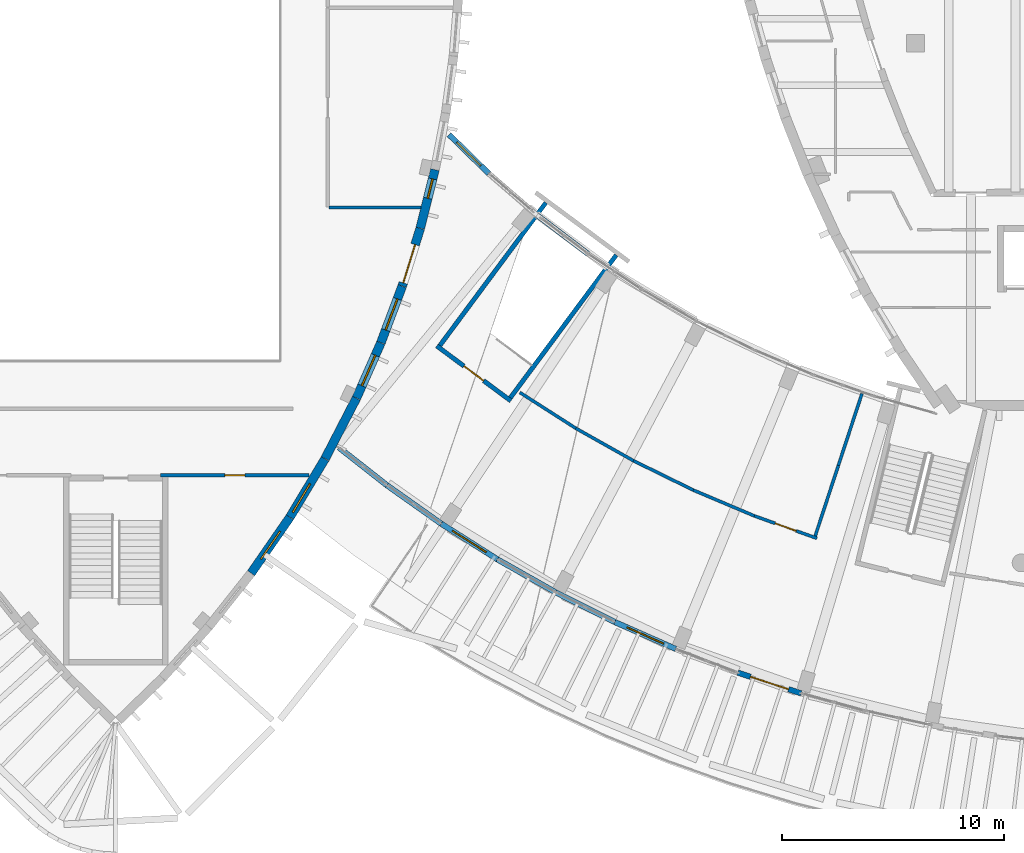
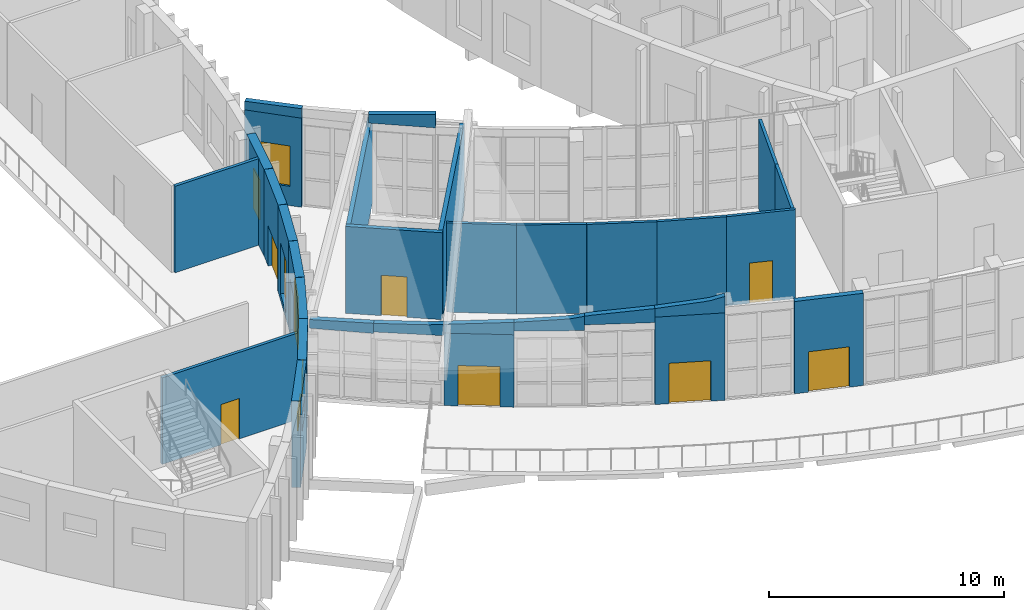
# One storey, part 53 of 93: 31 walls, 7 doors, 6 windows, 13 openings.
"""IFC4 building model written with IfcOpenShell, lengths in metres."""

from ifc_helpers import new_model, si_unit, direction, frame, frame_2d, origin, place, context, subcontext, project, spatial, polyline, rectangle, outline, extrude, material, layer, layer_set, type_object, element, fill, save


model = new_model("IFC4")

# Units and contexts
model_context = context("Model", 3, precision=1e-05, world=origin(), true_north=direction((0.0, 1.0)))
body_context = subcontext(model_context, "Body", "Model", "MODEL_VIEW")
ifc_project = project(units=[si_unit("LENGTHUNIT", "METRE"), si_unit("AREAUNIT", "SQUARE_METRE"), si_unit("VOLUMEUNIT", "CUBIC_METRE"), si_unit("PLANEANGLEUNIT", "RADIAN"), si_unit("MASSUNIT", "GRAM", prefix="KILO")], contexts=[model_context])

# Site, building, storey
site_placement = place(None, origin())
site = spatial("IfcSite", under=ifc_project, at=site_placement, CompositionType="ELEMENT")
building_placement = place(site_placement, origin())
building = spatial("IfcBuilding", under=site, at=building_placement, Name="Tide Square Theatres", CompositionType="ELEMENT")
storey_placement = place(building_placement, frame((0.0, 0.0, 5.39990234375)))
storey = spatial("IfcBuildingStorey", under=building, at=storey_placement, Name="L01", CompositionType="ELEMENT", Elevation=5.39990234375)

# Walls
ifc_material_1 = material(Name="Concrete masonry block", Category="masonry")
ifc_layer_1 = layer(ifc_material_1, 0.139892578125)
ifc_layer_set_1 = layer_set([ifc_layer_1], Name="Concrete masonry block")
wall_type_1 = type_object("IfcWallType", Name="Partition 140 thick", PredefinedType="PARTITIONING", material=ifc_layer_set_1)
wall_1_placement = place(storey_placement, frame((69.594970703125, 24.124267578125, 0.0), z_axis=(0.0, 0.0, 1.0), x_axis=(-0.311928968211, -0.950105425093, 0.0)))
element("IfcWall", 1, at=wall_1_placement, inside=storey, type_object=wall_type_1, Name="Foyer room partition", PredefinedType="PARTITIONING", context=body_context, shape_type="SweptSolid", body=[
    extrude(rectangle(XDim=3.41015625, YDim=0.139892578125, at=frame_2d((1.705078125, 0.0))), origin(), (0.0, 0.0, 1.0), 4.634033203125),
])
wall_2_placement = place(storey_placement, frame((68.53125, 20.88427734375, 0.0), z_axis=(0.0, 0.0, 1.0), x_axis=(-0.311917422886, -0.950109215459, 0.0)))
element("IfcWall", 2, at=wall_2_placement, inside=storey, type_object=wall_type_1, Name="Foyer room partition", PredefinedType="PARTITIONING", context=body_context, shape_type="SweptSolid", body=[
    extrude(rectangle(XDim=3.35009765625, YDim=0.139892578125, at=frame_2d((1.675048828125, 0.0))), origin(), (0.0, 0.0, 1.0), 4.634033203125),
])
wall_3_placement = place(storey_placement, frame((54.192138671875, 24.176513671875, 0.0), z_axis=(0.0, 0.0, 1.0), x_axis=(0.842415213624, -0.538828922623, 0.0)))
element("IfcWall", 3, at=wall_3_placement, inside=storey, type_object=wall_type_1, Name="Foyer room wall", PredefinedType="PARTITIONING", context=body_context, shape_type="SweptSolid", body=[
    extrude(rectangle(XDim=2.989990234375, YDim=0.139892578125, at=frame_2d((1.4951171875, 0.0))), origin(), (0.0, 0.0, 1.0), 4.634033203125),
])
wall_4_placement = place(storey_placement, frame((56.7109375, 22.5654296875, 0.0), z_axis=(0.0, 0.0, 1.0), x_axis=(0.871435934972, -0.490509338585, 0.0)))
element("IfcWall", 4, at=wall_4_placement, inside=storey, type_object=wall_type_1, Name="Foyer room wall", PredefinedType="PARTITIONING", context=body_context, shape_type="SweptSolid", body=[
    extrude(rectangle(XDim=2.98974609375, YDim=0.139892578125, at=frame_2d((1.494873046875, 0.0))), origin(), (0.0, 0.0, 1.0), 4.634033203125),
])
wall_5_placement = place(storey_placement, frame((59.31640625, 21.098876953125, 0.0), z_axis=(0.0, 0.0, 1.0), x_axis=(0.897701670166, -0.440603803185, 0.0)))
element("IfcWall", 5, at=wall_5_placement, inside=storey, type_object=wall_type_1, Name="Foyer room wall", PredefinedType="PARTITIONING", context=body_context, shape_type="SweptSolid", body=[
    extrude(rectangle(XDim=2.989990234375, YDim=0.139892578125, at=frame_2d((1.4951171875, 0.0))), origin(), (0.0, 0.0, 1.0), 4.634033203125),
])
wall_6_placement = place(storey_placement, frame((62.00048828125, 19.781494140625, 0.0), z_axis=(0.0, 0.0, 1.0), x_axis=(0.921151989331, -0.389203047974, 0.0)))
element("IfcWall", 6, at=wall_6_placement, inside=storey, type_object=wall_type_1, Name="Foyer room wall", PredefinedType="PARTITIONING", context=body_context, shape_type="SweptSolid", body=[
    extrude(rectangle(XDim=2.98974609375, YDim=0.139892578125, at=frame_2d((1.494873046875, 0.0))), origin(), (0.0, 0.0, 1.0), 4.634033203125),
])

# Wall, opening, door
wall_7_placement = place(storey_placement, frame((64.75439453125, 18.617919921875, 0.0), z_axis=(0.0, 0.0, 1.0), x_axis=(0.941592174621, -0.336755366242, 0.0)))
wall_7 = element("IfcWall", 7, at=wall_7_placement, inside=storey, type_object=wall_type_1, Name="Foyer room wall", PredefinedType="PARTITIONING", context=body_context, shape_type="SweptSolid", body=[
    extrude(rectangle(XDim=2.98974609375, YDim=0.139892578125, at=frame_2d((1.494873046875, 0.0))), origin(), (0.0, 0.0, 1.0), 4.634033203125),
])
opening_1_placement = place(wall_7_placement, frame((0.994873046875, 0.0, 0.0)))
opening_1 = element("IfcOpeningElement", 8, at=opening_1_placement, cuts=wall_7, Name="Opening F01-15", PredefinedType="OPENING", context=body_context, shape_type="SweptSolid", body=[
    extrude(rectangle(XDim=1.0, YDim=2.10009765625, at=frame_2d((0.5, 1.050048828125))), frame((0.0, 0.079833984375, 0.0), z_axis=(0.0, -1.0, 0.0), x_axis=(1.0, 0.0, 0.0)), (0.0, 0.0, 1.0), 0.159912109375),
])
ifc_material_2 = material(Name="Hardwood timber", Category="wood")
door_type_1 = type_object("IfcDoorType", Name="Door 1000 x 2100 single leaf", OperationType="NOTDEFINED", PredefinedType="DOOR", material=ifc_material_2)
door_1_placement = place(opening_1_placement, origin())
door_1 = element("IfcDoor", 9, at=door_1_placement, inside=storey, type_object=door_type_1, Name="Exhibition Gallery door", OperationType="SINGLE_SWING_RIGHT", OverallHeight=2.10009765625, OverallWidth=1.0, PredefinedType="DOOR", context=body_context, shape_type="SweptSolid", body=[
    extrude(rectangle(XDim=1.0, YDim=2.10009765625, at=frame_2d((0.5, 1.050048828125))), frame((0.0, 0.02490234375, 0.0), z_axis=(0.0, -1.0, 0.0), x_axis=(1.0, 0.0, 0.0)), (0.0, 0.0, 1.0), 0.050048828125),
])
fill(opening_1, door_1)

ifc_material_3 = material(Name="Gypsum board on steel studs", Category="steel")
ifc_layer_2 = layer(ifc_material_3, 0.14990234375)
ifc_layer_set_2 = layer_set([ifc_layer_2], Name="Gypsum board on steel studs")
wall_type_2 = type_object("IfcWallType", Name="Partition 150 thick", PredefinedType="PARTITIONING", material=ifc_layer_set_2)
wall_8_placement = place(storey_placement, frame((44.705322265625, 20.449951171875, 0.0), z_axis=(0.0, 0.0, 1.0), x_axis=(-1.0, 0.0, 0.0)))
wall_8 = element("IfcWall", 10, at=wall_8_placement, inside=storey, type_object=wall_type_2, Name="Studio Theatre partition", PredefinedType="PARTITIONING", context=body_context, shape_type="SweptSolid", body=[
    extrude(rectangle(XDim=6.685302734375, YDim=0.14990234375, at=frame_2d((3.3427734375, 0.0))), origin(), (0.0, 0.0, 1.0), 4.5),
])
opening_2_placement = place(wall_8_placement, frame((2.892578125, 0.0, 0.0)))
opening_2 = element("IfcOpeningElement", 11, at=opening_2_placement, cuts=wall_8, Name="Opening S01-14", PredefinedType="OPENING", context=body_context, shape_type="SweptSolid", body=[
    extrude(rectangle(XDim=0.89990234375, YDim=2.10009765625, at=frame_2d((0.449951171875, 1.050048828125))), frame((0.0, 0.0849609375, 0.0), z_axis=(0.0, -1.0, 0.0), x_axis=(1.0, 0.0, 0.0)), (0.0, 0.0, 1.0), 0.169921875),
])
ifc_material_4 = material(Name="Hardwood timber", Category="wood")
door_type_2 = type_object("IfcDoorType", Name="Door 900 x 2100 single leaf", OperationType="NOTDEFINED", PredefinedType="DOOR", material=ifc_material_4)
door_2_placement = place(opening_2_placement, origin())
door_2 = element("IfcDoor", 12, at=door_2_placement, inside=storey, type_object=door_type_2, Name="Scenic Props Store door", OperationType="SINGLE_SWING_RIGHT", OverallHeight=2.10009765625, OverallWidth=0.89990234375, PredefinedType="DOOR", context=body_context, shape_type="SweptSolid", body=[
    extrude(rectangle(XDim=0.89990234375, YDim=2.10009765625, at=frame_2d((0.449951171875, 1.050048828125))), frame((0.0, 0.02490234375, 0.0), z_axis=(0.0, -1.0, 0.0), x_axis=(1.0, 0.0, 0.0)), (0.0, 0.0, 1.0), 0.050048828125),
])
fill(opening_2, door_2)

# Wall
wall_9_placement = place(storey_placement, frame((45.610107421875, 32.5, 0.0), z_axis=(0.0, 0.0, 1.0), x_axis=(1.0, 0.0, 0.0)))
element("IfcWall", 13, at=wall_9_placement, inside=storey, type_object=wall_type_2, Name="Studio Theatre partition", PredefinedType="PARTITIONING", context=body_context, shape_type="SweptSolid", body=[
    extrude(rectangle(XDim=4.1279296875, YDim=0.14990234375, at=frame_2d((2.06396484375, 0.0))), origin(), (0.0, 0.0, 1.0), 4.5),
])

# Wall, opening, window
ifc_material_5 = material(Name="Concrete C40", Category="concrete")
ifc_layer_3 = layer(ifc_material_5, 0.39990234375)
ifc_layer_set_3 = layer_set([ifc_layer_3], Name="Concrete C40")
wall_type_3 = type_object("IfcWallType", Name="RC curved wall 400 thick", PredefinedType="SOLIDWALL", material=ifc_layer_set_3)
wall_10_placement = place(storey_placement, frame((42.09765625, 16.04150390625, 0.0), z_axis=(0.0, 0.0, 1.0), x_axis=(0.569371892655, 0.822080073871, 0.0)))
wall_10 = element("IfcWall", 14, at=wall_10_placement, inside=storey, type_object=wall_type_3, Name="Studio Theatre perimeter wall", PredefinedType="SOLIDWALL", context=body_context, shape_type="SweptSolid", body=[
    extrude(rectangle(XDim=3.0576171875, YDim=0.39990234375, at=frame_2d((1.52880859375, 0.0))), origin(), (0.0, 0.0, 1.0), 4.5),
])
opening_3_placement = place(wall_10_placement, frame((0.77880859375, 0.0, 2.39990234375)))
opening_3 = element("IfcOpeningElement", 15, at=opening_3_placement, cuts=wall_10, Name="Opening WN-04", PredefinedType="OPENING", context=body_context, shape_type="SweptSolid", body=[
    extrude(rectangle(XDim=1.5, YDim=0.89990234375, at=frame_2d((0.75, 0.449951171875))), frame((0.0, 0.2099609375, 0.0), z_axis=(0.0, -1.0, 0.0), x_axis=(1.0, 0.0, 0.0)), (0.0, 0.0, 1.0), 0.419921875),
])
ifc_material_6 = material(Name="Aluminium with laminated glass", Category="aluminium")
window_type_1 = type_object("IfcWindowType", Name="Window 1500 x 900", PartitioningType="SINGLE_PANEL", PredefinedType="WINDOW", material=ifc_material_6)
window_1_placement = place(opening_3_placement, origin())
window_1 = element("IfcWindow", 16, at=window_1_placement, inside=storey, type_object=window_type_1, Name="Studio Theatre Scenic Props Store window", OverallHeight=0.89990234375, OverallWidth=1.5, PartitioningType="SINGLE_PANEL", PredefinedType="WINDOW", context=body_context, shape_type="SweptSolid", body=[
    extrude(rectangle(XDim=1.5, YDim=0.89990234375, at=frame_2d((0.75, 0.449951171875))), frame((0.0, 0.030029296875, 0.0), z_axis=(0.0, -1.0, 0.0), x_axis=(1.0, 0.0, 0.0)), (0.0, 0.0, 1.0), 0.06005859375),
])
fill(opening_3, window_1)

wall_11_placement = place(storey_placement, frame((43.845703125, 18.56591796875, 0.0), z_axis=(0.0, 0.0, 1.0), x_axis=(0.515387841983, 0.856957042293, 0.0)))
wall_11 = element("IfcWall", 17, at=wall_11_placement, inside=storey, type_object=wall_type_3, Name="Studio Theatre perimeter wall", PredefinedType="SOLIDWALL", context=body_context, shape_type="SweptSolid", body=[
    extrude(rectangle(XDim=3.057861328125, YDim=0.39990234375, at=frame_2d((1.52880859375, 0.0))), origin(), (0.0, 0.0, 1.0), 4.5),
])
opening_4_placement = place(wall_11_placement, frame((0.25390625, 0.0, 2.39990234375)))
opening_4 = element("IfcOpeningElement", 18, at=opening_4_placement, cuts=wall_11, Name="Opening WN-04", PredefinedType="OPENING", context=body_context, shape_type="SweptSolid", body=[
    extrude(rectangle(XDim=1.5, YDim=0.89990234375, at=frame_2d((0.75, 0.449951171875))), frame((0.0, 0.2099609375, 0.0), z_axis=(0.0, -1.0, 0.0), x_axis=(1.0, 0.0, 0.0)), (0.0, 0.0, 1.0), 0.419921875),
])
window_2_placement = place(opening_4_placement, origin())
window_2 = element("IfcWindow", 19, at=window_2_placement, inside=storey, type_object=window_type_1, Name="Studio Theatre Scenic Props Store window", OverallHeight=0.89990234375, OverallWidth=1.5, PartitioningType="SINGLE_PANEL", PredefinedType="WINDOW", context=body_context, shape_type="SweptSolid", body=[
    extrude(rectangle(XDim=1.5, YDim=0.89990234375, at=frame_2d((0.75, 0.449951171875))), frame((0.0, 0.030029296875, 0.0), z_axis=(0.0, -1.0, 0.0), x_axis=(1.0, 0.0, 0.0)), (0.0, 0.0, 1.0), 0.06005859375),
])
fill(opening_4, window_2)

# Wall
wall_12_placement = place(storey_placement, frame((45.427978515625, 21.197509765625, 0.0), z_axis=(0.0, 0.0, 1.0), x_axis=(0.45930565039, 0.888278289457, 0.0)))
element("IfcWall", 20, at=wall_12_placement, inside=storey, type_object=wall_type_3, Name="Studio Theatre perimeter wall", PredefinedType="SOLIDWALL", context=body_context, shape_type="SweptSolid", body=[
    extrude(rectangle(XDim=3.05859375, YDim=0.39990234375, at=frame_2d((1.529296875, 0.0))), origin(), (0.0, 0.0, 1.0), 4.5),
])

# Wall, opening, window
wall_13_placement = place(storey_placement, frame((46.837890625, 23.92529296875, 0.0), z_axis=(0.0, 0.0, 1.0), x_axis=(0.404652153757, 0.914470685402, 0.0)))
wall_13 = element("IfcWall", 21, at=wall_13_placement, inside=storey, type_object=wall_type_3, Name="Studio Theatre perimeter wall", PredefinedType="SOLIDWALL", context=body_context, shape_type="SweptSolid", body=[
    extrude(rectangle(XDim=2.7138671875, YDim=0.39990234375, at=frame_2d((1.35693359375, 0.0))), origin(), (0.0, 0.0, 1.0), 4.5),
])
opening_5_placement = place(wall_13_placement, frame((0.606689453125, 0.0, 0.300048828125)))
opening_5 = element("IfcOpeningElement", 22, at=opening_5_placement, cuts=wall_13, Name="Opening WN-02", PredefinedType="OPENING", context=body_context, shape_type="SweptSolid", body=[
    extrude(rectangle(XDim=1.5, YDim=2.699951171875, at=frame_2d((0.75, 1.35009765625))), frame((0.0, 0.2099609375, 0.0), z_axis=(0.0, -1.0, 0.0), x_axis=(1.0, 0.0, 0.0)), (0.0, 0.0, 1.0), 0.419921875),
])
ifc_material_7 = material(Name="Aluminium with laminated glass", Category="aluminium")
window_type_2 = type_object("IfcWindowType", Name="Window 1500 x 2700", PartitioningType="SINGLE_PANEL", PredefinedType="WINDOW", material=ifc_material_7)
window_3_placement = place(opening_5_placement, origin())
window_3 = element("IfcWindow", 23, at=window_3_placement, inside=storey, type_object=window_type_2, Name="Studio Theatre Studio East Landing window", OverallHeight=2.699951171875, OverallWidth=1.5, PartitioningType="SINGLE_PANEL", PredefinedType="WINDOW", context=body_context, shape_type="SweptSolid", body=[
    extrude(rectangle(XDim=1.5, YDim=2.699951171875, at=frame_2d((0.75, 1.35009765625))), frame((0.0, 0.030029296875, 0.0), z_axis=(0.0, -1.0, 0.0), x_axis=(1.0, 0.0, 0.0)), (0.0, 0.0, 1.0), 0.06005859375),
])
fill(opening_5, window_3)

wall_14_placement = place(storey_placement, frame((47.9404296875, 26.41748046875, 0.0), z_axis=(0.0, 0.0, 1.0), x_axis=(0.351862601417, 0.936051659752, 0.0)))
wall_14 = element("IfcWall", 24, at=wall_14_placement, inside=storey, type_object=wall_type_3, Name="Studio Theatre perimeter wall", PredefinedType="SOLIDWALL", context=body_context, shape_type="SweptSolid", body=[
    extrude(rectangle(XDim=2.71435546875, YDim=0.39990234375, at=frame_2d((1.357177734375, 0.0))), origin(), (0.0, 0.0, 1.0), 4.5),
])
opening_6_placement = place(wall_14_placement, frame((0.607177734375, 0.0, 0.300048828125)))
opening_6 = element("IfcOpeningElement", 25, at=opening_6_placement, cuts=wall_14, Name="Opening WN-02", PredefinedType="OPENING", context=body_context, shape_type="SweptSolid", body=[
    extrude(rectangle(XDim=1.5, YDim=2.699951171875, at=frame_2d((0.75, 1.35009765625))), frame((0.0, 0.2099609375, 0.0), z_axis=(0.0, -1.0, 0.0), x_axis=(1.0, 0.0, 0.0)), (0.0, 0.0, 1.0), 0.419921875),
])
window_4_placement = place(opening_6_placement, origin())
window_4 = element("IfcWindow", 26, at=window_4_placement, inside=storey, type_object=window_type_2, Name="Studio Theatre Studio East Landing window", OverallHeight=2.699951171875, OverallWidth=1.5, PartitioningType="SINGLE_PANEL", PredefinedType="WINDOW", context=body_context, shape_type="SweptSolid", body=[
    extrude(rectangle(XDim=1.5, YDim=2.699951171875, at=frame_2d((0.75, 1.35009765625))), frame((0.0, 0.030029296875, 0.0), z_axis=(0.0, -1.0, 0.0), x_axis=(1.0, 0.0, 0.0)), (0.0, 0.0, 1.0), 0.06005859375),
])
fill(opening_6, window_4)

# Wall, opening, door
wall_15_placement = place(storey_placement, frame((48.899169921875, 28.968994140625, 0.0), z_axis=(0.0, 0.0, 1.0), x_axis=(0.29795748067, 0.954579142718, 0.0)))
wall_15 = element("IfcWall", 27, at=wall_15_placement, inside=storey, type_object=wall_type_3, Name="Studio Theatre perimeter wall", PredefinedType="SOLIDWALL", context=body_context, shape_type="SweptSolid", body=[
    extrude(rectangle(XDim=2.714599609375, YDim=0.39990234375, at=frame_2d((1.357421875, 0.0))), origin(), (0.0, 0.0, 1.0), 4.5),
])
opening_7_placement = place(wall_15_placement, frame((0.14990234375, 0.0, 0.0)))
opening_7 = element("IfcOpeningElement", 28, at=opening_7_placement, cuts=wall_15, Name="Opening S01-01", PredefinedType="OPENING", context=body_context, shape_type="SweptSolid", body=[
    extrude(rectangle(XDim=1.800048828125, YDim=2.10009765625, at=frame_2d((0.89990234375, 1.050048828125))), frame((0.0, 0.2099609375, 0.0), z_axis=(0.0, -1.0, 0.0), x_axis=(1.0, 0.0, 0.0)), (0.0, 0.0, 1.0), 0.419921875),
])
ifc_material_8 = material(Name="Hardwood timber", Category="wood")
door_type_3 = type_object("IfcDoorType", Name="Door 1800 x 2100 double leaf", OperationType="DOUBLE_DOOR_SINGLE_SWING", PredefinedType="DOOR", material=ifc_material_8)
door_3_placement = place(opening_7_placement, frame((1.800048828125, 0.0, 0.0), z_axis=(0.0, 0.0, 1.0), x_axis=(-1.0, 0.0, 0.0)))
door_3 = element("IfcDoor", 29, at=door_3_placement, inside=storey, type_object=door_type_3, Name="Studio Theatre foyer door", OperationType="DOUBLE_DOOR_SINGLE_SWING", OverallHeight=2.10009765625, OverallWidth=1.800048828125, PredefinedType="DOOR", context=body_context, shape_type="SweptSolid", body=[
    extrude(rectangle(XDim=1.800048828125, YDim=2.10009765625, at=frame_2d((0.89990234375, 1.050048828125))), frame((0.0, 0.02490234375, 0.0), z_axis=(0.0, -1.0, 0.0), x_axis=(1.0, 0.0, 0.0)), (0.0, 0.0, 1.0), 0.050048828125),
])
fill(opening_7, door_3)

# Wall, opening, window
wall_16_placement = place(storey_placement, frame((49.7109375, 31.5712890625, 0.0), z_axis=(0.0, 0.0, 1.0), x_axis=(0.2430011368, 0.970026003525, 0.0)))
wall_16 = element("IfcWall", 30, at=wall_16_placement, inside=storey, type_object=wall_type_3, Name="Studio Theatre perimeter wall", PredefinedType="SOLIDWALL", context=body_context, shape_type="SweptSolid", body=[
    extrude(rectangle(XDim=2.714599609375, YDim=0.39990234375, at=frame_2d((1.357421875, 0.0))), origin(), (0.0, 0.0, 1.0), 4.5),
])
opening_8_placement = place(wall_16_placement, frame((1.385986328125, 0.0, 0.89990234375)))
opening_8 = element("IfcOpeningElement", 31, at=opening_8_placement, cuts=wall_16, Name="Opening WN-10", PredefinedType="OPENING", context=body_context, shape_type="SweptSolid", body=[
    extrude(rectangle(XDim=0.89990234375, YDim=2.10009765625, at=frame_2d((0.449951171875, 1.050048828125))), frame((0.0, 0.2099609375, 0.0), z_axis=(0.0, -1.0, 0.0), x_axis=(1.0, 0.0, 0.0)), (0.0, 0.0, 1.0), 0.419921875),
])
ifc_material_9 = material(Name="Aluminium with laminated glass", Category="aluminium")
window_type_3 = type_object("IfcWindowType", Name="Window 900 x 2100", PartitioningType="SINGLE_PANEL", PredefinedType="WINDOW", material=ifc_material_9)
window_5_placement = place(opening_8_placement, origin())
window_5 = element("IfcWindow", 32, at=window_5_placement, inside=storey, type_object=window_type_3, Name="Studio Theatre Learning Studio 02 window", OverallHeight=2.10009765625, OverallWidth=0.89990234375, PartitioningType="SINGLE_PANEL", PredefinedType="WINDOW", context=body_context, shape_type="SweptSolid", body=[
    extrude(rectangle(XDim=0.89990234375, YDim=2.10009765625, at=frame_2d((0.449951171875, 1.050048828125))), frame((0.0, 0.030029296875, 0.0), z_axis=(0.0, -1.0, 0.0), x_axis=(1.0, 0.0, 0.0)), (0.0, 0.0, 1.0), 0.06005859375),
])
fill(opening_8, window_5)

# Wall, opening, door
ifc_material_10 = material(Name="Concrete C40", Category="concrete")
ifc_layer_4 = layer(ifc_material_10, 0.199951171875)
ifc_layer_set_4 = layer_set([ifc_layer_4], Name="Concrete C40")
wall_type_4 = type_object("IfcWallType", Name="RC shear wall 200 thick", PredefinedType="SHEAR", material=ifc_layer_set_4)
wall_17_placement = place(storey_placement, frame((53.787353515625, 23.798583984375, 0.0), z_axis=(0.0, 0.0, 1.0), x_axis=(-0.803074417046, 0.595878746631, 0.0)))
wall_17 = element("IfcWall", 33, at=wall_17_placement, inside=storey, type_object=wall_type_4, Name="Exit stair F1 wall", PredefinedType="SHEAR", context=body_context, shape_type="SweptSolid", body=[
    extrude(rectangle(XDim=4.14990234375, YDim=0.199951171875, at=frame_2d((2.074951171875, 0.0))), origin(), (0.0, 0.0, 1.0), 4.51904296875),
])
opening_9_placement = place(wall_17_placement, frame((1.52490234375, 0.0, 0.0)))
opening_9 = element("IfcOpeningElement", 34, at=opening_9_placement, cuts=wall_17, Name="Opening F01-11", PredefinedType="OPENING", context=body_context, shape_type="SweptSolid", body=[
    extrude(rectangle(XDim=1.10009765625, YDim=2.10009765625, at=frame_2d((0.550048828125, 1.050048828125))), frame((0.0, 0.10986328125, 0.0), z_axis=(0.0, -1.0, 0.0), x_axis=(1.0, 0.0, 0.0)), (0.0, 0.0, 1.0), 0.219970703125),
])
ifc_material_11 = material(Name="Painted steel", Category="steel")
door_type_4 = type_object("IfcDoorType", Name="Door 1100 x 2100 single leaf", OperationType="NOTDEFINED", PredefinedType="DOOR", material=ifc_material_11)
door_4_placement = place(opening_9_placement, origin())
door_4 = element("IfcDoor", 35, at=door_4_placement, inside=storey, type_object=door_type_4, Name="Exit stair F1 door", OperationType="SINGLE_SWING_RIGHT", OverallHeight=2.10009765625, OverallWidth=1.10009765625, PredefinedType="DOOR", context=body_context, shape_type="SweptSolid", body=[
    extrude(rectangle(XDim=1.10009765625, YDim=2.10009765625, at=frame_2d((0.550048828125, 1.050048828125))), frame((0.0, 0.02490234375, 0.0), z_axis=(0.0, -1.0, 0.0), x_axis=(1.0, 0.0, 0.0)), (0.0, 0.0, 1.0), 0.050048828125),
])
fill(opening_9, door_4)

# Walls
wall_18_placement = place(storey_placement, frame((53.7666015625, 23.938720703125, 0.0), z_axis=(0.0, 0.0, 1.0), x_axis=(0.595885654141, 0.803069291648, 0.0)))
element("IfcWall", 36, at=wall_18_placement, inside=storey, type_object=wall_type_4, Name="Exit stair F1 wall", PredefinedType="SHEAR", context=body_context, shape_type="SweptSolid", body=[
    extrude(rectangle(XDim=8.0, YDim=0.199951171875, at=frame_2d((4.0, 0.0))), origin(), (0.0, 0.0, 1.0), 4.51904296875),
])
wall_19_placement = place(storey_placement, frame((50.594482421875, 26.292236328125, 0.0), z_axis=(0.0, 0.0, 1.0), x_axis=(0.595865972218, 0.803083895463, 0.0)))
element("IfcWall", 37, at=wall_19_placement, inside=storey, type_object=wall_type_4, Name="Exit stair F1 wall", PredefinedType="SHEAR", context=body_context, shape_type="SweptSolid", body=[
    extrude(rectangle(XDim=7.999755859375, YDim=0.199951171875, at=frame_2d((4.0, 0.0))), origin(), (0.0, 0.0, 1.0), 4.51904296875),
])

# Wall, opening, door
ifc_material_12 = material(Name="Concrete C40", Category="concrete")
ifc_layer_5 = layer(ifc_material_12, 0.25)
ifc_layer_set_5 = layer_set([ifc_layer_5], Name="Concrete C40")
wall_type_5 = type_object("IfcWallType", Name="RC shear wall 250 thick", PredefinedType="SHEAR", material=ifc_layer_set_5)
wall_20_placement = place(storey_placement, frame((50.65673828125, 18.268310546875, 0.0), z_axis=(0.0, 0.0, 1.0), x_axis=(0.844241494478, -0.535962964207, 0.0)))
wall_20 = element("IfcWall", 38, at=wall_20_placement, inside=storey, type_object=wall_type_5, Name="Foyer entrance pier wall", PredefinedType="SHEAR", context=body_context, shape_type="SweptSolid", body=[
    extrude(rectangle(XDim=2.995849609375, YDim=0.25, at=frame_2d((1.498046875, 0.0))), origin(), (0.0, 0.0, 1.0), 3.770263671875),
])
opening_10_placement = place(wall_20_placement, frame((0.597900390625, 0.0, 0.0)))
opening_10 = element("IfcOpeningElement", 39, at=opening_10_placement, cuts=wall_20, Name="Opening F01-01", PredefinedType="OPENING", context=body_context, shape_type="SweptSolid", body=[
    extrude(rectangle(XDim=1.800048828125, YDim=2.10009765625, at=frame_2d((0.89990234375, 1.050048828125))), frame((0.0, 0.135009765625, 0.0), z_axis=(0.0, -1.0, 0.0), x_axis=(1.0, 0.0, 0.0)), (0.0, 0.0, 1.0), 0.27001953125),
])
door_5_placement = place(opening_10_placement, frame((1.800048828125, 0.0, 0.0), z_axis=(0.0, 0.0, 1.0), x_axis=(-1.0, 0.0, 0.0)))
door_5 = element("IfcDoor", 40, at=door_5_placement, inside=storey, type_object=door_type_3, Name="Foyer veranda door", OperationType="DOUBLE_DOOR_SINGLE_SWING", OverallHeight=2.10009765625, OverallWidth=1.800048828125, PredefinedType="DOOR", context=body_context, shape_type="SweptSolid", body=[
    extrude(rectangle(XDim=1.800048828125, YDim=2.10009765625, at=frame_2d((0.89990234375, 1.050048828125))), frame((0.0, 0.02490234375, 0.0), z_axis=(0.0, -1.0, 0.0), x_axis=(1.0, 0.0, 0.0)), (0.0, 0.0, 1.0), 0.050048828125),
])
fill(opening_10, door_5)

# Wall
wall_21_placement = place(storey_placement, frame((50.65673828125, 18.268310546875, 3.770263671875), z_axis=(0.0, 0.0, 1.0), x_axis=(0.844241494478, -0.535962964207, 0.0)))
element("IfcWall", 41, at=wall_21_placement, inside=storey, type_object=wall_type_5, Name="Foyer fascia wall", PredefinedType="SHEAR", context=body_context, shape_type="SweptSolid", body=[
    extrude(outline(polyline([(0.0, 0.0), (2.995849609375, 0.0), (2.99609375, 0.646484375), (0.299560546875, 0.473388671875), (0.0, 0.449462890625), (0.0, 0.0)])), frame((0.0, 0.125, 0.0), z_axis=(0.0, -1.0, 0.0), x_axis=(1.0, 0.0, 0.0)), (0.0, 0.0, 1.0), 0.25),
])

# Wall, opening, door
wall_22_placement = place(storey_placement, frame((58.469970703125, 13.8408203125, 0.0), z_axis=(0.0, 0.0, 1.0), x_axis=(0.914920457005, -0.403634187543, 0.0)))
wall_22 = element("IfcWall", 42, at=wall_22_placement, inside=storey, type_object=wall_type_5, Name="Foyer entrance pier wall", PredefinedType="SHEAR", context=body_context, shape_type="SweptSolid", body=[
    extrude(rectangle(XDim=2.995849609375, YDim=0.25, at=frame_2d((1.498046875, 0.0))), origin(), (0.0, 0.0, 1.0), 4.54541015625),
])
opening_11_placement = place(wall_22_placement, frame((0.597900390625, 0.0, 0.0)))
opening_11 = element("IfcOpeningElement", 43, at=opening_11_placement, cuts=wall_22, Name="Opening F01-02", PredefinedType="OPENING", context=body_context, shape_type="SweptSolid", body=[
    extrude(rectangle(XDim=1.800048828125, YDim=2.10009765625, at=frame_2d((0.89990234375, 1.050048828125))), frame((0.0, 0.135009765625, 0.0), z_axis=(0.0, -1.0, 0.0), x_axis=(1.0, 0.0, 0.0)), (0.0, 0.0, 1.0), 0.27001953125),
])
door_6_placement = place(opening_11_placement, frame((1.800048828125, 0.0, 0.0), z_axis=(0.0, 0.0, 1.0), x_axis=(-1.0, 0.0, 0.0)))
door_6 = element("IfcDoor", 44, at=door_6_placement, inside=storey, type_object=door_type_3, Name="Foyer veranda door", OperationType="DOUBLE_DOOR_SINGLE_SWING", OverallHeight=2.10009765625, OverallWidth=1.800048828125, PredefinedType="DOOR", context=body_context, shape_type="SweptSolid", body=[
    extrude(rectangle(XDim=1.800048828125, YDim=2.10009765625, at=frame_2d((0.89990234375, 1.050048828125))), frame((0.0, 0.02490234375, 0.0), z_axis=(0.0, -1.0, 0.0), x_axis=(1.0, 0.0, 0.0)), (0.0, 0.0, 1.0), 0.050048828125),
])
fill(opening_11, door_6)

# Wall
wall_23_placement = place(storey_placement, frame((58.469970703125, 13.8408203125, 4.54541015625), z_axis=(0.0, 0.0, 1.0), x_axis=(0.914920457005, -0.403634187543, 0.0)))
element("IfcWall", 45, at=wall_23_placement, inside=storey, type_object=wall_type_5, Name="Foyer fascia wall", PredefinedType="SHEAR", context=body_context, shape_type="SweptSolid", body=[
    extrude(outline(polyline([(0.0, 0.0), (2.995849609375, 0.0), (2.99609375, 0.85546875), (2.396728515625, 0.6875), (2.09716796875, 0.646484375), (0.0, 0.449462890625), (0.0, 0.0)])), frame((0.0, 0.125, 0.0), z_axis=(0.0, -1.0, 0.0), x_axis=(1.0, 0.0, 0.0)), (0.0, 0.0, 1.0), 0.25),
])

# Wall, opening, door
wall_24_placement = place(storey_placement, frame((64.009033203125, 11.560791015625, 0.0), z_axis=(0.0, 0.0, 1.0), x_axis=(0.950692762122, -0.310134280675, 0.0)))
wall_24 = element("IfcWall", 46, at=wall_24_placement, inside=storey, type_object=wall_type_5, Name="Foyer entrance pier wall", PredefinedType="SHEAR", context=body_context, shape_type="SweptSolid", body=[
    extrude(rectangle(XDim=2.99609375, YDim=0.25, at=frame_2d((1.498046875, 0.0))), origin(), (0.0, 0.0, 1.0), 4.800048828125),
])
opening_12_placement = place(wall_24_placement, frame((0.597900390625, 0.0, 0.0)))
opening_12 = element("IfcOpeningElement", 47, at=opening_12_placement, cuts=wall_24, Name="Opening F01-03", PredefinedType="OPENING", context=body_context, shape_type="SweptSolid", body=[
    extrude(rectangle(XDim=1.800048828125, YDim=2.10009765625, at=frame_2d((0.89990234375, 1.050048828125))), frame((0.0, 0.135009765625, 0.0), z_axis=(0.0, -1.0, 0.0), x_axis=(1.0, 0.0, 0.0)), (0.0, 0.0, 1.0), 0.27001953125),
])
door_7_placement = place(opening_12_placement, frame((1.800048828125, 0.0, 0.0), z_axis=(0.0, 0.0, 1.0), x_axis=(-1.0, 0.0, 0.0)))
door_7 = element("IfcDoor", 48, at=door_7_placement, inside=storey, type_object=door_type_3, Name="Foyer veranda door", OperationType="DOUBLE_DOOR_SINGLE_SWING", OverallHeight=2.10009765625, OverallWidth=1.800048828125, PredefinedType="DOOR", context=body_context, shape_type="SweptSolid", body=[
    extrude(rectangle(XDim=1.800048828125, YDim=2.10009765625, at=frame_2d((0.89990234375, 1.050048828125))), frame((0.0, 0.02490234375, 0.0), z_axis=(0.0, -1.0, 0.0), x_axis=(1.0, 0.0, 0.0)), (0.0, 0.0, 1.0), 0.050048828125),
])
fill(opening_12, door_7)

# Wall, opening, window
wall_25_placement = place(storey_placement, frame((52.7900390625, 34.037353515625, 0.0), z_axis=(0.0, 0.0, 1.0), x_axis=(-0.714838276245, 0.699289810318, 0.0)))
wall_25 = element("IfcWall", 49, at=wall_25_placement, inside=storey, type_object=wall_type_5, Name="Foyer court door pier wall", PredefinedType="SHEAR", context=body_context, shape_type="SweptSolid", body=[
    extrude(rectangle(XDim=2.49658203125, YDim=0.25, at=frame_2d((1.248291015625, 0.0))), origin(), (0.0, 0.0, 1.0), 4.636474609375),
])
opening_13_placement = place(wall_25_placement, frame((0.498291015625, 0.0, 1.0)))
opening_13 = element("IfcOpeningElement", 50, at=opening_13_placement, cuts=wall_25, Name="Opening WN-01", PredefinedType="OPENING", context=body_context, shape_type="SweptSolid", body=[
    extrude(rectangle(XDim=1.5, YDim=2.10009765625, at=frame_2d((0.75, 1.050048828125))), frame((0.0, 0.135009765625, 0.0), z_axis=(0.0, -1.0, 0.0), x_axis=(1.0, 0.0, 0.0)), (0.0, 0.0, 1.0), 0.27001953125),
])
ifc_material_13 = material(Name="Aluminium with laminated glass", Category="aluminium")
window_type_4 = type_object("IfcWindowType", Name="Window 1500 x 2100", PartitioningType="SINGLE_PANEL", PredefinedType="WINDOW", material=ifc_material_13)
window_6_placement = place(opening_13_placement, origin())
window_6 = element("IfcWindow", 51, at=window_6_placement, inside=storey, type_object=window_type_4, Name="Foyer upper window", OverallHeight=2.10009765625, OverallWidth=1.5, PartitioningType="SINGLE_PANEL", PredefinedType="WINDOW", context=body_context, shape_type="SweptSolid", body=[
    extrude(rectangle(XDim=1.5, YDim=2.10009765625, at=frame_2d((0.75, 1.050048828125))), frame((0.0, 0.030029296875, 0.0), z_axis=(0.0, -1.0, 0.0), x_axis=(1.0, 0.0, 0.0)), (0.0, 0.0, 1.0), 0.06005859375),
])
fill(opening_13, window_6)

# Walls
wall_26_placement = place(storey_placement, frame((52.7900390625, 34.037353515625, 4.636474609375), z_axis=(0.0, 0.0, 1.0), x_axis=(-0.714838276245, 0.699289810318, 0.0)))
element("IfcWall", 52, at=wall_26_placement, inside=storey, type_object=wall_type_5, Name="Foyer fascia wall", PredefinedType="SHEAR", context=body_context, shape_type="SweptSolid", body=[
    extrude(outline(polyline([(0.0, 0.0), (2.49658203125, 0.0), (2.49658203125, 0.449462890625), (0.0, 0.494384765625), (0.0, 0.0)])), frame((0.0, 0.125, 0.0), z_axis=(0.0, -1.0, 0.0), x_axis=(1.0, 0.0, 0.0)), (0.0, 0.0, 1.0), 0.25),
])
wall_27_placement = place(storey_placement, frame((46.05078125, 21.694580078125, 3.559326171875), z_axis=(0.0, 0.0, 1.0), x_axis=(0.786500311792, -0.617589879735, 0.0)))
element("IfcWall", 53, at=wall_27_placement, inside=storey, type_object=wall_type_5, Name="Foyer fascia wall", PredefinedType="SHEAR", context=body_context, shape_type="SweptSolid", body=[
    extrude(outline(polyline([(0.0, 0.0), (2.746337890625, 0.0), (2.746337890625, 0.52490234375), (0.0, 0.44970703125), (0.0, 0.0)])), frame((0.0, 0.125, 0.0), z_axis=(0.0, -1.0, 0.0), x_axis=(1.0, 0.0, 0.0)), (0.0, 0.0, 1.0), 0.25),
])
wall_28_placement = place(storey_placement, frame((48.210693359375, 19.99853515625, 3.635009765625), z_axis=(0.0, 0.0, 1.0), x_axis=(0.816400647498, -0.577485915642, 0.0)))
element("IfcWall", 54, at=wall_28_placement, inside=storey, type_object=wall_type_5, Name="Foyer fascia wall", PredefinedType="SHEAR", context=body_context, shape_type="SweptSolid", body=[
    extrude(outline(polyline([(0.0, 0.0), (2.99609375, 0.0), (2.99609375, 0.583984375), (2.396728515625, 0.52880859375), (2.09716796875, 0.515869140625), (0.0, 0.449462890625), (0.0, 0.0)])), frame((0.0, 0.125, 0.0), z_axis=(0.0, -1.0, 0.0), x_axis=(1.0, 0.0, 0.0)), (0.0, 0.0, 1.0), 0.25),
])
wall_29_placement = place(storey_placement, frame((53.18603515625, 16.66259765625, 3.967529296875), z_axis=(0.0, 0.0, 1.0), x_axis=(0.870032671315, -0.492994067758, 0.0)))
element("IfcWall", 55, at=wall_29_placement, inside=storey, type_object=wall_type_5, Name="Foyer fascia wall", PredefinedType="SHEAR", context=body_context, shape_type="SweptSolid", body=[
    extrude(outline(polyline([(0.0, 0.0), (2.99609375, 0.0), (2.99609375, 0.74658203125), (2.396728515625, 0.623046875), (2.09716796875, 0.594482421875), (0.0, 0.449462890625), (0.0, 0.0)])), frame((0.0, 0.125, 0.0), z_axis=(0.0, -1.0, 0.0), x_axis=(1.0, 0.0, 0.0)), (0.0, 0.0, 1.0), 0.25),
])
wall_30_placement = place(storey_placement, frame((55.792724609375, 15.185546875, 4.265869140625), z_axis=(0.0, 0.0, 1.0), x_axis=(0.893610813914, -0.44884263752, 0.0)))
element("IfcWall", 56, at=wall_30_placement, inside=storey, type_object=wall_type_5, Name="Foyer fascia wall", PredefinedType="SHEAR", context=body_context, shape_type="SweptSolid", body=[
    extrude(outline(polyline([(0.0, 0.0), (2.99609375, 0.0), (2.99609375, 0.728515625), (0.299560546875, 0.4921875), (0.0, 0.449462890625), (0.0, 0.0)])), frame((0.0, 0.125, 0.0), z_axis=(0.0, -1.0, 0.0), x_axis=(1.0, 0.0, 0.0)), (0.0, 0.0, 1.0), 0.25),
])
wall_31_placement = place(storey_placement, frame((57.264404296875, 30.413818359375, 4.763427734375), z_axis=(0.0, 0.0, 1.0), x_axis=(-0.796415317135, 0.604750066253, 0.0)))
element("IfcWall", 57, at=wall_31_placement, inside=storey, type_object=wall_type_5, Name="Foyer fascia wall", PredefinedType="SHEAR", context=body_context, shape_type="SweptSolid", body=[
    extrude(outline(polyline([(0.0, 0.0), (2.880126953125, 0.0), (2.880126953125, 0.449462890625), (0.0, 0.7060546875), (0.0, 0.0)])), frame((0.0, 0.125, 0.0), z_axis=(0.0, -1.0, 0.0), x_axis=(1.0, 0.0, 0.0)), (0.0, 0.0, 1.0), 0.25),
])

save(model, "model.ifc")
